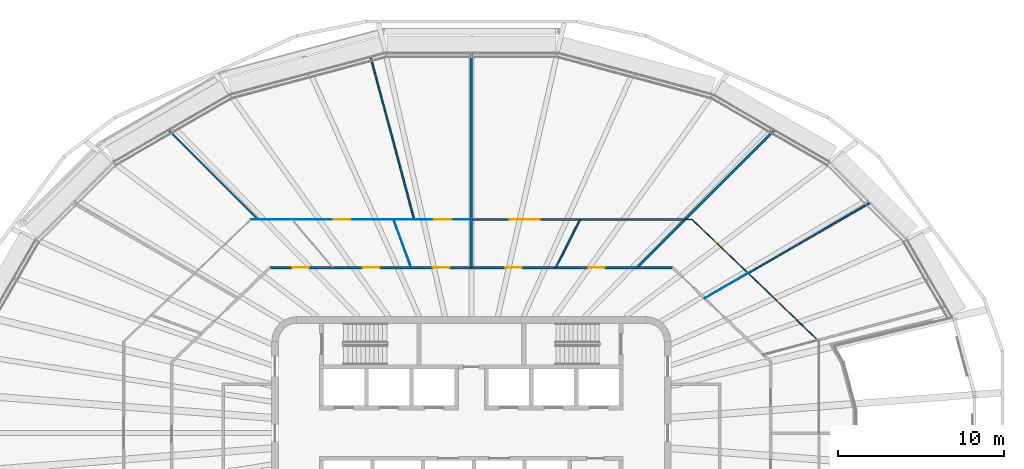
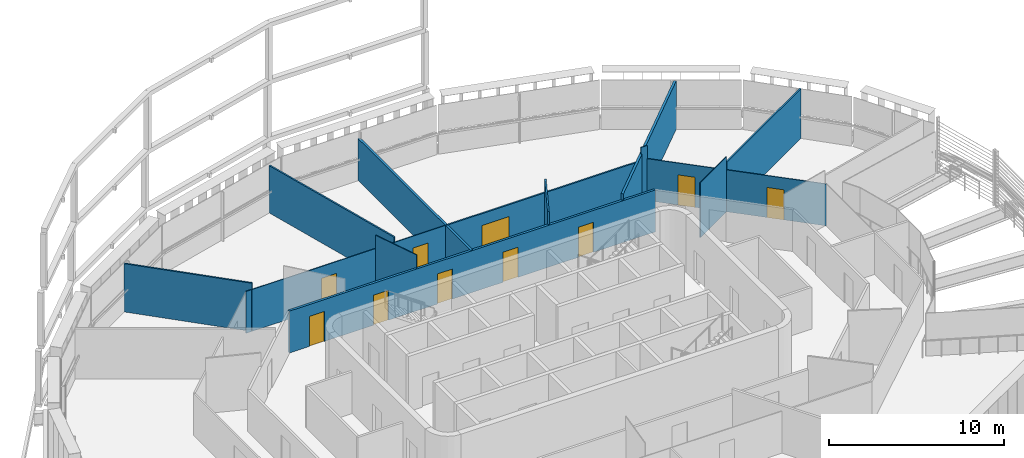
# One storey, part 13 of 21: 13 walls, 10 doors, 10 openings.
"""IFC4 building model written with IfcOpenShell, lengths in metres."""

import ifcopenshell
import ifcopenshell.guid

model = None  # the IFC model being written
_history = None  # IfcOwnerHistory: only IFC2X3 demands one
_inside = {}  # id of a spatial element -> (the spatial element, [elements in it])
_under = {}  # id of a project, library or spatial element -> (it, [spatial elements below it])
_declared = {}  # id of a project -> (the project, [libraries it declares])
_typed = {}  # id of a type object -> (the type object, [elements of that type])
_made_of = {}  # id of a material, layer set ... -> (it, [elements and type objects made of it])


def new_model(schema):
    """Start an empty IFC model of exactly this schema.

    Asked for "IFC4X3", IfcOpenShell would pick the latest addendum, in which some entities
    have other attributes; the version numbers below select the first issue.
    IFC2X3 requires an IfcOwnerHistory on every rooted entity: one is made here for all.
    """
    global model, _history
    if schema == "IFC4X3":
        model = ifcopenshell.file(schema_version=(4, 3, 0, 0))
    else:
        model = ifcopenshell.file(schema=schema)
    _inside.clear()
    _under.clear()
    _declared.clear()
    _typed.clear()
    _made_of.clear()
    _history = None
    if model.schema == "IFC2X3":
        org = make("IfcOrganization", Name="unknown")
        user = make(
            "IfcPersonAndOrganization",
            ThePerson=make("IfcPerson", FamilyName="unknown"),
            TheOrganization=org,
        )
        app = make(
            "IfcApplication",
            ApplicationDeveloper=org,
            Version="unknown",
            ApplicationFullName="unknown",
            ApplicationIdentifier="unknown",
        )
        _history = make(
            "IfcOwnerHistory",
            OwningUser=user,
            OwningApplication=app,
            ChangeAction="ADDED",
            CreationDate=0,
        )
    return model


def make(cls, **values):
    """One entity of the class cls with the attributes given. An attribute that is None is left unset."""
    return model.create_entity(
        cls, **{name: value for name, value in values.items() if value is not None}
    )


def rooted(cls, **values):
    """An entity with a GlobalId (a new one), such as an element, a storey or a relation."""
    return make(cls, GlobalId=ifcopenshell.guid.new(), OwnerHistory=_history, **values)


def si_unit(unit_type, name, prefix=None):
    """IfcSIUnit, for example si_unit("LENGTHUNIT", "METRE", prefix="MILLI")."""
    return make("IfcSIUnit", UnitType=unit_type, Prefix=prefix, Name=name)


def assignment(units):
    """IfcUnitAssignment: the units of a project."""
    return None if units is None else make("IfcUnitAssignment", Units=units)


def point(xyz):
    """IfcCartesianPoint."""
    return None if xyz is None else make("IfcCartesianPoint", Coordinates=xyz)


def direction(xyz):
    """IfcDirection."""
    return None if xyz is None else make("IfcDirection", DirectionRatios=xyz)


def frame(location, z_axis=None, x_axis=None):
    """IfcAxis2Placement3D, a coordinate frame: its origin and axes. An axis left out is left unset."""
    return make(
        "IfcAxis2Placement3D",
        Location=point(location),
        Axis=direction(z_axis),
        RefDirection=direction(x_axis),
    )


def frame_2d(location, x_axis=None):
    """IfcAxis2Placement2D, a coordinate frame in the plane: its origin and x axis."""
    return make(
        "IfcAxis2Placement2D", Location=point(location), RefDirection=direction(x_axis)
    )


def origin():
    """The frame at (0, 0, 0) with its axes left unset."""
    return frame((0.0, 0.0, 0.0))


def place(relative_to, where):
    """IfcLocalPlacement: puts the frame where relative to a parent placement (None: the world)."""
    return make(
        "IfcLocalPlacement", PlacementRelTo=relative_to, RelativePlacement=where
    )


def context(
    kind, dimensions, precision=None, world=None, true_north=None, identifier=None
):
    """IfcGeometricRepresentationContext, for example the 3D "Model" context."""
    return make(
        "IfcGeometricRepresentationContext",
        ContextIdentifier=identifier,
        ContextType=kind,
        CoordinateSpaceDimension=dimensions,
        Precision=precision,
        WorldCoordinateSystem=world,
        TrueNorth=true_north,
    )


def subcontext(parent, identifier, kind, view, scale=None):
    """IfcGeometricRepresentationSubContext, for example "Body" below "Model"."""
    return make(
        "IfcGeometricRepresentationSubContext",
        ContextIdentifier=identifier,
        ContextType=kind,
        ParentContext=parent,
        TargetScale=scale,
        TargetView=view,
    )


def project(units=None, contexts=None):
    """IfcProject with its units and contexts."""
    return rooted(
        "IfcProject",
        Name="project",
        RepresentationContexts=contexts,
        UnitsInContext=assignment(units),
    )


def spatial(cls, under=None, at=None, **own):
    """A site, building, storey or space (cls), placed at a placement, below another one or the project."""
    s = rooted(cls, ObjectPlacement=at, **own)
    if under is not None:
        _under.setdefault(under.id(), (under, []))[1].append(s)
    return s


def profile(cls, at=None, kind="AREA", **sizes):
    """A parametric profile (cls). Its sizes go by their IFC names, for example OverallWidth=200.0."""
    return make(cls, ProfileType=kind, Position=at, **sizes)


def rectangle(**sizes):
    """IfcRectangleProfileDef."""
    return profile("IfcRectangleProfileDef", **sizes)


def extrude(swept, where, along, depth):
    """IfcExtrudedAreaSolid: the profile swept, set in the frame where, extruded along a direction by depth."""
    return make(
        "IfcExtrudedAreaSolid",
        SweptArea=swept,
        Position=where,
        ExtrudedDirection=direction(along),
        Depth=depth,
    )


def shape(context_of_items, identifier, shape_type, items):
    """IfcShapeRepresentation: the items that make up one representation, for example the "Body"."""
    return make(
        "IfcShapeRepresentation",
        ContextOfItems=context_of_items,
        RepresentationIdentifier=identifier,
        RepresentationType=shape_type,
        Items=items,
    )


def material(Name=None, Category=None):
    """IfcMaterial."""
    return make("IfcMaterial", Name=Name, Category=Category)


def layer(
    of_material, thickness, ventilated=None, Name=None, Category=None, Priority=None
):
    """IfcMaterialLayer: one layer of a wall or slab, of a material (None: an air gap)."""
    return make(
        "IfcMaterialLayer",
        Material=of_material,
        LayerThickness=thickness,
        IsVentilated=ventilated,
        Name=Name,
        Category=Category,
        Priority=Priority,
    )


def layer_set(layers, Name=None):
    """IfcMaterialLayerSet."""
    return make("IfcMaterialLayerSet", MaterialLayers=layers, LayerSetName=Name)


def made_of(thing, what):
    """Note that an element or type object is made of a material, layer set ...; save() writes the relation."""
    if what is not None:
        _made_of.setdefault(what.id(), (what, []))[1].append(thing)
    return thing


def type_object(cls, material=None, **own):
    """A type object (cls), such as IfcWallType, which elements share."""
    return made_of(rooted(cls, **own), material)


def element(
    cls,
    number,
    at=None,
    inside=None,
    cuts=None,
    type_object=None,
    material=None,
    context=None,
    identifier="Body",
    shape_type=None,
    held_by="IfcProductDefinitionShape",
    body=None,
    shapes=None,
    **own,
):
    """One element of the class cls, such as IfcWall. Its Tag is "e" and its number.

    at: its placement. inside: the storey or other place that contains it. cuts: it is an
    opening in that element (IfcRelVoidsElement). A single representation is given by context,
    identifier, shape_type and body (its items); several are given by shapes. held_by: the class
    of the entity that holds the representations. save() writes the other relations.
    """
    e = rooted(cls, Tag="e%d" % number, ObjectPlacement=at, **own)
    if body is not None:
        shapes = [shape(context, identifier, shape_type, body)]
    if shapes is not None:
        e.Representation = make(held_by, Representations=shapes)
    if inside is not None:
        _inside.setdefault(inside.id(), (inside, []))[1].append(e)
    if cuts is not None:
        rooted(
            "IfcRelVoidsElement", RelatingBuildingElement=cuts, RelatedOpeningElement=e
        )
    if type_object is not None:
        _typed.setdefault(type_object.id(), (type_object, []))[1].append(e)
    return made_of(e, material)


def fill(opening, filler):
    """IfcRelFillsElement: the door or window that sits in an opening."""
    return rooted(
        "IfcRelFillsElement",
        RelatingOpeningElement=opening,
        RelatedBuildingElement=filler,
    )


def aggregate(whole, parts):
    """IfcRelAggregates: a whole, such as a stair, and the parts it consists of."""
    return rooted("IfcRelAggregates", RelatingObject=whole, RelatedObjects=parts)


def save(model, path):
    """Write the relations noted so far, then the file.

    IfcRelAggregates (storeys below a building ...), IfcRelContainedInSpatialStructure (elements
    in a storey), IfcRelDefinesByType, IfcRelAssociatesMaterial and IfcRelDeclares: one each for
    every whole, place, type object, material and project.
    """
    for whole, parts in _under.values():
        aggregate(whole, parts)
    for where, things in _inside.values():
        rooted(
            "IfcRelContainedInSpatialStructure",
            RelatedElements=things,
            RelatingStructure=where,
        )
    for kind, things in _typed.values():
        rooted("IfcRelDefinesByType", RelatedObjects=things, RelatingType=kind)
    for what, things in _made_of.values():
        rooted("IfcRelAssociatesMaterial", RelatedObjects=things, RelatingMaterial=what)
    for by, libraries in _declared.values():
        rooted("IfcRelDeclares", RelatingContext=by, RelatedDefinitions=libraries)
    model.write(path)


model = new_model("IFC4")

# Units and contexts
model_context = context("Model", 3, precision=1e-05, world=origin(), true_north=direction((0.0, 1.0)))
body_context = subcontext(model_context, "Body", "Model", "MODEL_VIEW")
ifc_project = project(units=[si_unit("LENGTHUNIT", "METRE"), si_unit("AREAUNIT", "SQUARE_METRE"), si_unit("VOLUMEUNIT", "CUBIC_METRE"), si_unit("PLANEANGLEUNIT", "RADIAN"), si_unit("MASSUNIT", "GRAM", prefix="KILO")], contexts=[model_context])

# Site, building, storey
site_placement = place(None, origin())
site = spatial("IfcSite", under=ifc_project, at=site_placement, CompositionType="ELEMENT")
building_placement = place(site_placement, origin())
building = spatial("IfcBuilding", under=site, at=building_placement, Name="Sahrelin Media Tower", CompositionType="ELEMENT")
storey_placement = place(building_placement, frame((0.0, 0.0, 263.0)))
storey = spatial("IfcBuildingStorey", under=building, at=storey_placement, Name="L57", CompositionType="ELEMENT", Elevation=263.0)

# Wall, openings, doors
ifc_material_1 = material(Name="Fire-rated gypsum board partition")
ifc_layer_1 = layer(ifc_material_1, 0.14990234375)
ifc_layer_set_1 = layer_set([ifc_layer_1], Name="Fire-rated partition 150")
wall_type_1 = type_object("IfcWallType", Name="Fire-rated partition 150", PredefinedType="PARTITIONING", material=ifc_layer_set_1)
wall_1_placement = place(storey_placement, frame((-12.094970703125, 9.948974609375, 0.0), z_axis=(0.0, 0.0, 1.0), x_axis=(1.0, 0.0, 0.0)))
wall_1 = element("IfcWall", 1, at=wall_1_placement, inside=storey, type_object=wall_type_1, Name="Wall", PredefinedType="PARTITIONING", context=body_context, shape_type="SweptSolid", body=[
    extrude(rectangle(XDim=24.18994140625, YDim=0.14990234375, at=frame_2d((12.094970703125, 0.0))), origin(), (0.0, 0.0, 1.0), 2.927001953125),
])
opening_1_placement = place(wall_1_placement, frame((9.784423828125, 0.0, 0.0)))
opening_1 = element("IfcOpeningElement", 2, at=opening_1_placement, cuts=wall_1, Name="Opening L57-D15", PredefinedType="OPENING", context=body_context, shape_type="SweptSolid", body=[
    extrude(rectangle(XDim=1.0, YDim=2.10009765625, at=frame_2d((0.5, 1.050048828125))), frame((0.0, 0.074951171875, 0.0), z_axis=(0.0, -1.0, 0.0), x_axis=(1.0, 0.0, 0.0)), (0.0, 0.0, 1.0), 0.14990234375),
])
opening_2_placement = place(wall_1_placement, frame((5.56005859375, 0.0, 0.0)))
opening_2 = element("IfcOpeningElement", 3, at=opening_2_placement, cuts=wall_1, Name="Opening L57-D16", PredefinedType="OPENING", context=body_context, shape_type="SweptSolid", body=[
    extrude(rectangle(XDim=1.0, YDim=2.10009765625, at=frame_2d((0.5, 1.050048828125))), frame((0.0, 0.074951171875, 0.0), z_axis=(0.0, -1.0, 0.0), x_axis=(1.0, 0.0, 0.0)), (0.0, 0.0, 1.0), 0.14990234375),
])
opening_3_placement = place(wall_1_placement, frame((1.322021484375, 0.0, 0.0)))
opening_3 = element("IfcOpeningElement", 4, at=opening_3_placement, cuts=wall_1, Name="Opening L57-D17", PredefinedType="OPENING", context=body_context, shape_type="SweptSolid", body=[
    extrude(rectangle(XDim=1.0, YDim=2.10009765625, at=frame_2d((0.5, 1.050048828125))), frame((0.0, 0.074951171875, 0.0), z_axis=(0.0, -1.0, 0.0), x_axis=(1.0, 0.0, 0.0)), (0.0, 0.0, 1.0), 0.14990234375),
])
opening_4_placement = place(wall_1_placement, frame((19.10400390625, 0.0, 0.0)))
opening_4 = element("IfcOpeningElement", 5, at=opening_4_placement, cuts=wall_1, Name="Opening L57-D40", PredefinedType="OPENING", context=body_context, shape_type="SweptSolid", body=[
    extrude(rectangle(XDim=1.0, YDim=2.10009765625, at=frame_2d((0.5, 1.050048828125))), frame((0.0, 0.074951171875, 0.0), z_axis=(0.0, -1.0, 0.0), x_axis=(1.0, 0.0, 0.0)), (0.0, 0.0, 1.0), 0.14990234375),
])
opening_5_placement = place(wall_1_placement, frame((14.12939453125, 0.0, 0.0)))
opening_5 = element("IfcOpeningElement", 6, at=opening_5_placement, cuts=wall_1, Name="Opening L57-D41", PredefinedType="OPENING", context=body_context, shape_type="SweptSolid", body=[
    extrude(rectangle(XDim=1.0, YDim=2.10009765625, at=frame_2d((0.5, 1.050048828125))), frame((0.0, 0.074951171875, 0.0), z_axis=(0.0, -1.0, 0.0), x_axis=(1.0, 0.0, 0.0)), (0.0, 0.0, 1.0), 0.14990234375),
])
ifc_material_2 = material(Name="Steel fire door leaf", Category="steel")
door_type_1 = type_object("IfcDoorType", Name="Fire door 1000 x 2100 EI 60", OperationType="NOTDEFINED", PredefinedType="DOOR", material=ifc_material_2)
door_1_placement = place(opening_1_placement, origin())
door_1 = element("IfcDoor", 7, at=door_1_placement, inside=storey, type_object=door_type_1, Name="Fire door", OperationType="SINGLE_SWING_RIGHT", OverallHeight=2.10009765625, OverallWidth=1.0, PredefinedType="DOOR", context=body_context, shape_type="SweptSolid", body=[
    extrude(rectangle(XDim=1.0, YDim=2.10009765625, at=frame_2d((0.5, 1.050048828125))), frame((0.0, 0.02490234375, 0.0), z_axis=(0.0, -1.0, 0.0), x_axis=(1.0, 0.0, 0.0)), (0.0, 0.0, 1.0), 0.050048828125),
])
fill(opening_1, door_1)
door_2_placement = place(opening_2_placement, origin())
door_2 = element("IfcDoor", 8, at=door_2_placement, inside=storey, type_object=door_type_1, Name="Fire door", OperationType="SINGLE_SWING_LEFT", OverallHeight=2.10009765625, OverallWidth=1.0, PredefinedType="DOOR", context=body_context, shape_type="SweptSolid", body=[
    extrude(rectangle(XDim=1.0, YDim=2.10009765625, at=frame_2d((0.5, 1.050048828125))), frame((0.0, 0.02490234375, 0.0), z_axis=(0.0, -1.0, 0.0), x_axis=(1.0, 0.0, 0.0)), (0.0, 0.0, 1.0), 0.050048828125),
])
fill(opening_2, door_2)
door_3_placement = place(opening_3_placement, origin())
door_3 = element("IfcDoor", 9, at=door_3_placement, inside=storey, type_object=door_type_1, Name="Fire door", OperationType="SINGLE_SWING_LEFT", OverallHeight=2.10009765625, OverallWidth=1.0, PredefinedType="DOOR", context=body_context, shape_type="SweptSolid", body=[
    extrude(rectangle(XDim=1.0, YDim=2.10009765625, at=frame_2d((0.5, 1.050048828125))), frame((0.0, 0.02490234375, 0.0), z_axis=(0.0, -1.0, 0.0), x_axis=(1.0, 0.0, 0.0)), (0.0, 0.0, 1.0), 0.050048828125),
])
fill(opening_3, door_3)
door_4_placement = place(opening_4_placement, origin())
door_4 = element("IfcDoor", 10, at=door_4_placement, inside=storey, type_object=door_type_1, Name="Fire door", OperationType="SINGLE_SWING_LEFT", OverallHeight=2.10009765625, OverallWidth=1.0, PredefinedType="DOOR", context=body_context, shape_type="SweptSolid", body=[
    extrude(rectangle(XDim=1.0, YDim=2.10009765625, at=frame_2d((0.5, 1.050048828125))), frame((0.0, 0.02490234375, 0.0), z_axis=(0.0, -1.0, 0.0), x_axis=(1.0, 0.0, 0.0)), (0.0, 0.0, 1.0), 0.050048828125),
])
fill(opening_4, door_4)
door_5_placement = place(opening_5_placement, origin())
door_5 = element("IfcDoor", 11, at=door_5_placement, inside=storey, type_object=door_type_1, Name="Fire door", OperationType="SINGLE_SWING_LEFT", OverallHeight=2.10009765625, OverallWidth=1.0, PredefinedType="DOOR", context=body_context, shape_type="SweptSolid", body=[
    extrude(rectangle(XDim=1.0, YDim=2.10009765625, at=frame_2d((0.5, 1.050048828125))), frame((0.0, 0.02490234375, 0.0), z_axis=(0.0, -1.0, 0.0), x_axis=(1.0, 0.0, 0.0)), (0.0, 0.0, 1.0), 0.050048828125),
])
fill(opening_5, door_5)

# Walls
wall_2_placement = place(storey_placement, frame((9.948974609375, 9.948974609375, 0.0), z_axis=(0.0, 0.0, 1.0), x_axis=(0.707106781187, 0.707106781187, 0.0)))
element("IfcWall", 12, at=wall_2_placement, inside=storey, type_object=wall_type_1, Name="Wall", PredefinedType="PARTITIONING", context=body_context, shape_type="SweptSolid", body=[
    extrude(rectangle(XDim=11.67724609375, YDim=0.14990234375, at=frame_2d((5.838623046875, 0.0))), origin(), (0.0, 0.0, 1.0), 3.373046875),
])
wall_3_placement = place(storey_placement, frame((0.0, 9.948974609375, 0.0), z_axis=(0.0, 0.0, 1.0), x_axis=(0.0, 1.0, 0.0)))
element("IfcWall", 13, at=wall_3_placement, inside=storey, type_object=wall_type_1, Name="Wall", PredefinedType="PARTITIONING", context=body_context, shape_type="SweptSolid", body=[
    extrude(rectangle(XDim=12.89599609375, YDim=0.14990234375, at=frame_2d((6.447998046875, 0.0))), origin(), (0.0, 0.0, 1.0), 2.927001953125),
])
ifc_material_3 = material(Name="Clear glass", Category="glass")
ifc_layer_2 = layer(ifc_material_3, 0.050048828125)
ifc_layer_set_2 = layer_set([ifc_layer_2], Name="Glazed partition 50")
wall_type_2 = type_object("IfcWallType", Name="Glazed partition 50", PredefinedType="PARTITIONING", material=ifc_layer_set_2)
wall_4_placement = place(storey_placement, frame((-4.673095703125, 12.839111328125, 0.0), z_axis=(0.0, 0.0, 1.0), x_axis=(0.342042598731, -0.939684447383, 0.0)))
element("IfcWall", 14, at=wall_4_placement, inside=storey, type_object=wall_type_2, Name="Wall", PredefinedType="PARTITIONING", context=body_context, shape_type="SweptSolid", body=[
    extrude(rectangle(XDim=3.07568359375, YDim=0.050048828125, at=frame_2d((1.537841796875, 0.0))), origin(), (0.0, 0.0, 1.0), 3.85009765625),
])

# Wall, openings, doors
wall_5_placement = place(storey_placement, frame((13.258056640625, 12.839111328125, 0.0), z_axis=(0.0, 0.0, 1.0), x_axis=(0.721469843217, -0.692445857327, 0.0)))
wall_5 = element("IfcWall", 15, at=wall_5_placement, inside=storey, type_object=wall_type_2, Name="Wall", PredefinedType="PARTITIONING", context=body_context, shape_type="SweptSolid", body=[
    extrude(rectangle(XDim=10.581787109375, YDim=0.050048828125, at=frame_2d((5.291015625, 0.0))), origin(), (0.0, 0.0, 1.0), 2.927001953125),
])
opening_6_placement = place(wall_5_placement, frame((7.072265625, 0.0, 0.0)))
opening_6 = element("IfcOpeningElement", 16, at=opening_6_placement, cuts=wall_5, Name="Opening L57-D38", PredefinedType="OPENING", context=body_context, shape_type="SweptSolid", body=[
    extrude(rectangle(XDim=1.0, YDim=2.10009765625, at=frame_2d((0.5, 1.050048828125))), frame((0.0, 0.02490234375, 0.0), z_axis=(0.0, -1.0, 0.0), x_axis=(1.0, 0.0, 0.0)), (0.0, 0.0, 1.0), 0.050048828125),
])
opening_7_placement = place(wall_5_placement, frame((1.82958984375, 0.0, 0.0)))
opening_7 = element("IfcOpeningElement", 17, at=opening_7_placement, cuts=wall_5, Name="Opening L57-D39", PredefinedType="OPENING", context=body_context, shape_type="SweptSolid", body=[
    extrude(rectangle(XDim=1.0, YDim=2.10009765625, at=frame_2d((0.5, 1.050048828125))), frame((0.0, 0.02490234375, 0.0), z_axis=(0.0, -1.0, 0.0), x_axis=(1.0, 0.0, 0.0)), (0.0, 0.0, 1.0), 0.050048828125),
])
door_type_2 = type_object("IfcDoorType", Name="Glazed door 1000 x 2100", OperationType="NOTDEFINED", PredefinedType="DOOR", material=ifc_material_3)
door_6_placement = place(opening_6_placement, origin())
door_6 = element("IfcDoor", 18, at=door_6_placement, inside=storey, type_object=door_type_2, Name="Glazed door", OperationType="SINGLE_SWING_RIGHT", OverallHeight=2.10009765625, OverallWidth=1.0, PredefinedType="DOOR", context=body_context, shape_type="SweptSolid", body=[
    extrude(rectangle(XDim=1.0, YDim=2.10009765625, at=frame_2d((0.5, 1.050048828125))), frame((0.0, 0.02490234375, 0.0), z_axis=(0.0, -1.0, 0.0), x_axis=(1.0, 0.0, 0.0)), (0.0, 0.0, 1.0), 0.049560546875),
])
fill(opening_6, door_6)
door_7_placement = place(opening_7_placement, origin())
door_7 = element("IfcDoor", 19, at=door_7_placement, inside=storey, type_object=door_type_2, Name="Glazed door", OperationType="SINGLE_SWING_LEFT", OverallHeight=2.10009765625, OverallWidth=1.0, PredefinedType="DOOR", context=body_context, shape_type="SweptSolid", body=[
    extrude(rectangle(XDim=1.0, YDim=2.10009765625, at=frame_2d((0.5, 1.050048828125))), frame((0.0, 0.02490234375, 0.0), z_axis=(0.0, -1.0, 0.0), x_axis=(1.0, 0.0, 0.0)), (0.0, 0.0, 1.0), 0.049560546875),
])
fill(opening_7, door_7)

wall_6_placement = place(storey_placement, frame((-13.258056640625, 12.839111328125, 0.0), z_axis=(0.0, 0.0, 1.0), x_axis=(1.0, 0.0, 0.0)))
wall_6 = element("IfcWall", 20, at=wall_6_placement, inside=storey, type_object=wall_type_2, Name="Wall", PredefinedType="PARTITIONING", context=body_context, shape_type="SweptSolid", body=[
    extrude(rectangle(XDim=13.258056640625, YDim=0.050048828125, at=frame_2d((6.62890625, 0.0))), origin(), (0.0, 0.0, 1.0), 2.927001953125),
])
opening_8_placement = place(wall_6_placement, frame((11.0380859375, 0.0, 0.0)))
opening_8 = element("IfcOpeningElement", 21, at=opening_8_placement, cuts=wall_6, Name="Opening L57-D18", PredefinedType="OPENING", context=body_context, shape_type="SweptSolid", body=[
    extrude(rectangle(XDim=1.0, YDim=2.10009765625, at=frame_2d((0.5, 1.050048828125))), frame((0.0, 0.02490234375, 0.0), z_axis=(0.0, -1.0, 0.0), x_axis=(1.0, 0.0, 0.0)), (0.0, 0.0, 1.0), 0.050048828125),
])
opening_9_placement = place(wall_6_placement, frame((4.985107421875, 0.0, 0.0)))
opening_9 = element("IfcOpeningElement", 22, at=opening_9_placement, cuts=wall_6, Name="Opening L57-D19", PredefinedType="OPENING", context=body_context, shape_type="SweptSolid", body=[
    extrude(rectangle(XDim=1.0, YDim=2.10009765625, at=frame_2d((0.5, 1.050048828125))), frame((0.0, 0.02490234375, 0.0), z_axis=(0.0, -1.0, 0.0), x_axis=(1.0, 0.0, 0.0)), (0.0, 0.0, 1.0), 0.050048828125),
])
door_8_placement = place(opening_8_placement, origin())
door_8 = element("IfcDoor", 23, at=door_8_placement, inside=storey, type_object=door_type_2, Name="Glazed door", OperationType="SINGLE_SWING_LEFT", OverallHeight=2.10009765625, OverallWidth=1.0, PredefinedType="DOOR", context=body_context, shape_type="SweptSolid", body=[
    extrude(rectangle(XDim=1.0, YDim=2.10009765625, at=frame_2d((0.5, 1.050048828125))), frame((0.0, 0.02490234375, 0.0), z_axis=(0.0, -1.0, 0.0), x_axis=(1.0, 0.0, 0.0)), (0.0, 0.0, 1.0), 0.049560546875),
])
fill(opening_8, door_8)
door_9_placement = place(opening_9_placement, origin())
door_9 = element("IfcDoor", 24, at=door_9_placement, inside=storey, type_object=door_type_2, Name="Glazed door", OperationType="SINGLE_SWING_RIGHT", OverallHeight=2.10009765625, OverallWidth=1.0, PredefinedType="DOOR", context=body_context, shape_type="SweptSolid", body=[
    extrude(rectangle(XDim=1.0, YDim=2.10009765625, at=frame_2d((0.5, 1.050048828125))), frame((0.0, 0.02490234375, 0.0), z_axis=(0.0, -1.0, 0.0), x_axis=(1.0, 0.0, 0.0)), (0.0, 0.0, 1.0), 0.049560546875),
])
fill(opening_9, door_9)

# Walls
wall_7_placement = place(storey_placement, frame((12.839111328125, 12.839111328125, 0.0), z_axis=(0.0, 0.0, 1.0), x_axis=(1.0, 0.0, 0.0)))
element("IfcWall", 25, at=wall_7_placement, inside=storey, type_object=wall_type_2, Name="Wall", PredefinedType="PARTITIONING", context=body_context, shape_type="SweptSolid", body=[
    extrude(rectangle(XDim=0.4189453125, YDim=0.050048828125, at=frame_2d((0.20947265625, 0.0))), origin(), (0.0, 0.0, 1.0), 3.85009765625),
])
wall_8_placement = place(storey_placement, frame((14.02392578125, 8.096923828125, 0.0), z_axis=(0.0, 0.0, 1.0), x_axis=(0.86600176378, 0.500040943453, 0.0)))
element("IfcWall", 26, at=wall_8_placement, inside=storey, type_object=wall_type_2, Name="Wall", PredefinedType="PARTITIONING", context=body_context, shape_type="SweptSolid", body=[
    extrude(rectangle(XDim=3.008056640625, YDim=0.050048828125, at=frame_2d((1.50390625, 0.0))), origin(), (0.0, 0.0, 1.0), 3.85009765625),
])
ifc_material_4 = material(Name="Gypsum board partition")
ifc_layer_3 = layer(ifc_material_4, 0.10009765625)
ifc_layer_set_3 = layer_set([ifc_layer_3], Name="Partition 100")
wall_type_3 = type_object("IfcWallType", Name="Partition 100", PredefinedType="PARTITIONING", material=ifc_layer_set_3)
wall_9_placement = place(storey_placement, frame((-6.05810546875, 22.60693359375, 0.0), z_axis=(0.0, 0.0, 1.0), x_axis=(0.258900601614, -0.965903969597, 0.0)))
element("IfcWall", 27, at=wall_9_placement, inside=storey, type_object=wall_type_3, Name="Wall", PredefinedType="PARTITIONING", context=body_context, shape_type="SweptSolid", body=[
    extrude(rectangle(XDim=10.112548828125, YDim=0.10009765625, at=frame_2d((5.05615234375, 0.0))), origin(), (0.0, 0.0, 1.0), 3.3017578125),
])
wall_10_placement = place(storey_placement, frame((-18.2060546875, 18.2060546875, 0.0), z_axis=(0.0, 0.0, 1.0), x_axis=(0.707106781187, -0.707106781187, 0.0)))
element("IfcWall", 28, at=wall_10_placement, inside=storey, type_object=wall_type_3, Name="Wall", PredefinedType="PARTITIONING", context=body_context, shape_type="SweptSolid", body=[
    extrude(rectangle(XDim=7.590087890625, YDim=0.10009765625, at=frame_2d((3.794921875, 0.0))), origin(), (0.0, 0.0, 1.0), 3.373046875),
])

# Wall, opening, door
wall_11_placement = place(storey_placement, frame((0.0, 12.839111328125, 0.0), z_axis=(0.0, 0.0, 1.0), x_axis=(1.0, 0.0, 0.0)))
wall_11 = element("IfcWall", 29, at=wall_11_placement, inside=storey, type_object=wall_type_3, Name="Wall", PredefinedType="PARTITIONING", context=body_context, shape_type="SweptSolid", body=[
    extrude(rectangle(XDim=12.839111328125, YDim=0.10009765625, at=frame_2d((6.41943359375, 0.0))), origin(), (0.0, 0.0, 1.0), 2.927001953125),
])
opening_10_placement = place(wall_11_placement, frame((2.3203125, 0.0, 0.0)))
opening_10 = element("IfcOpeningElement", 30, at=opening_10_placement, cuts=wall_11, Name="Opening L57-D42", PredefinedType="OPENING", context=body_context, shape_type="SweptSolid", body=[
    extrude(rectangle(XDim=1.800048828125, YDim=2.10009765625, at=frame_2d((0.89990234375, 1.050048828125))), frame((0.0, 0.050048828125, 0.0), z_axis=(0.0, -1.0, 0.0), x_axis=(1.0, 0.0, 0.0)), (0.0, 0.0, 1.0), 0.10009765625),
])
ifc_material_5 = material(Name="Timber door leaf", Category="wood")
door_type_3 = type_object("IfcDoorType", Name="Double door 1800 x 2100", OperationType="DOUBLE_DOOR_SINGLE_SWING", PredefinedType="DOOR", material=ifc_material_5)
door_10_placement = place(opening_10_placement, origin())
door_10 = element("IfcDoor", 31, at=door_10_placement, inside=storey, type_object=door_type_3, Name="Double door", OperationType="DOUBLE_DOOR_SINGLE_SWING", OverallHeight=2.10009765625, OverallWidth=1.800048828125, PredefinedType="DOOR", context=body_context, shape_type="SweptSolid", body=[
    extrude(rectangle(XDim=1.800048828125, YDim=2.10009765625, at=frame_2d((0.89990234375, 1.050048828125))), frame((0.0, 0.02490234375, 0.0), z_axis=(0.0, -1.0, 0.0), x_axis=(1.0, 0.0, 0.0)), (0.0, 0.0, 1.0), 0.050048828125),
])
fill(opening_10, door_10)

# Walls
wall_12_placement = place(storey_placement, frame((16.62890625, 9.60107421875, 0.0), z_axis=(0.0, 0.0, 1.0), x_axis=(0.866022649921, 0.500004769801, 0.0)))
element("IfcWall", 32, at=wall_12_placement, inside=storey, type_object=wall_type_3, Name="Wall", PredefinedType="PARTITIONING", context=body_context, shape_type="SweptSolid", body=[
    extrude(rectangle(XDim=8.48388671875, YDim=0.10009765625, at=frame_2d((4.241943359375, 0.0))), origin(), (0.0, 0.0, 1.0), 3.47509765625),
])
wall_13_placement = place(storey_placement, frame((5.069091796875, 9.948974609375, 0.0), z_axis=(0.0, 0.0, 1.0), x_axis=(0.454064453845, 0.890968838823, 0.0)))
element("IfcWall", 33, at=wall_13_placement, inside=storey, type_object=wall_type_3, Name="Wall", PredefinedType="PARTITIONING", context=body_context, shape_type="SweptSolid", body=[
    extrude(rectangle(XDim=3.243896484375, YDim=0.10009765625, at=frame_2d((1.6220703125, 0.0))), origin(), (0.0, 0.0, 1.0), 3.85009765625),
])

save(model, "model.ifc")
